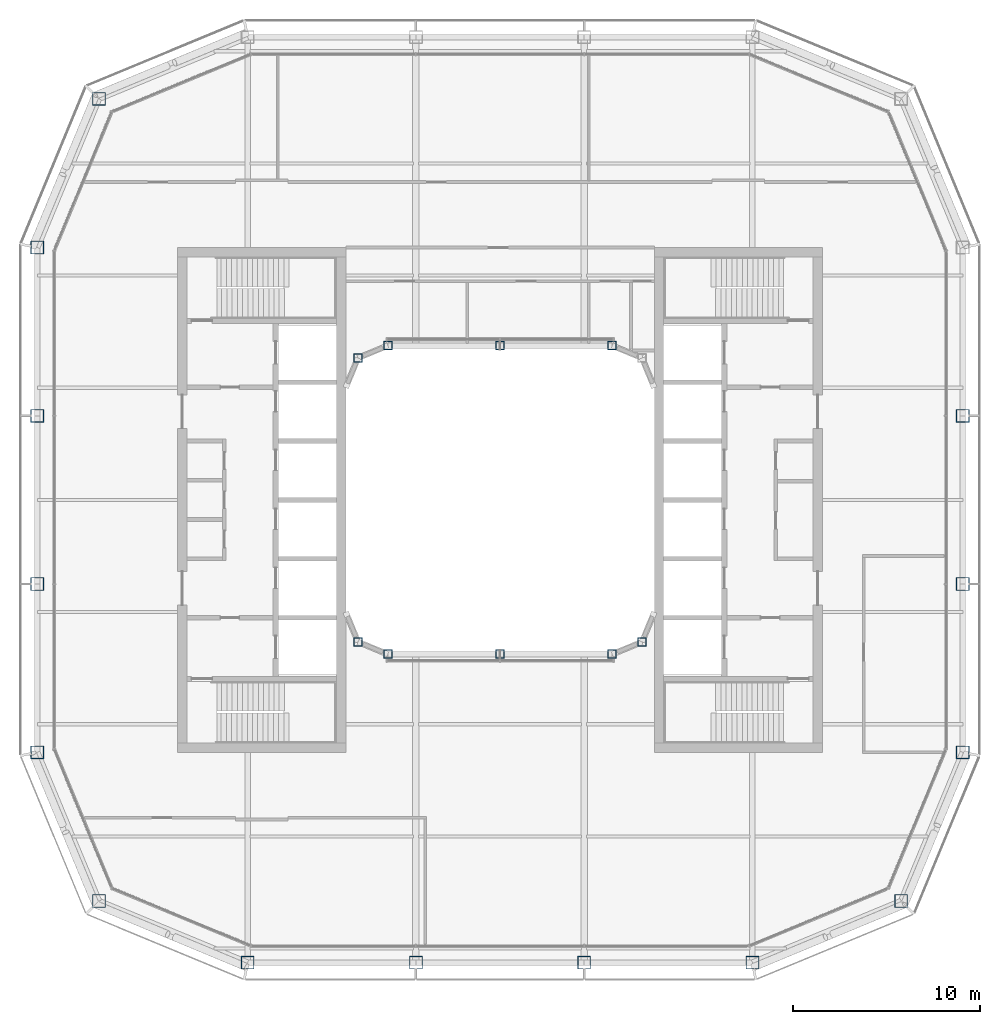
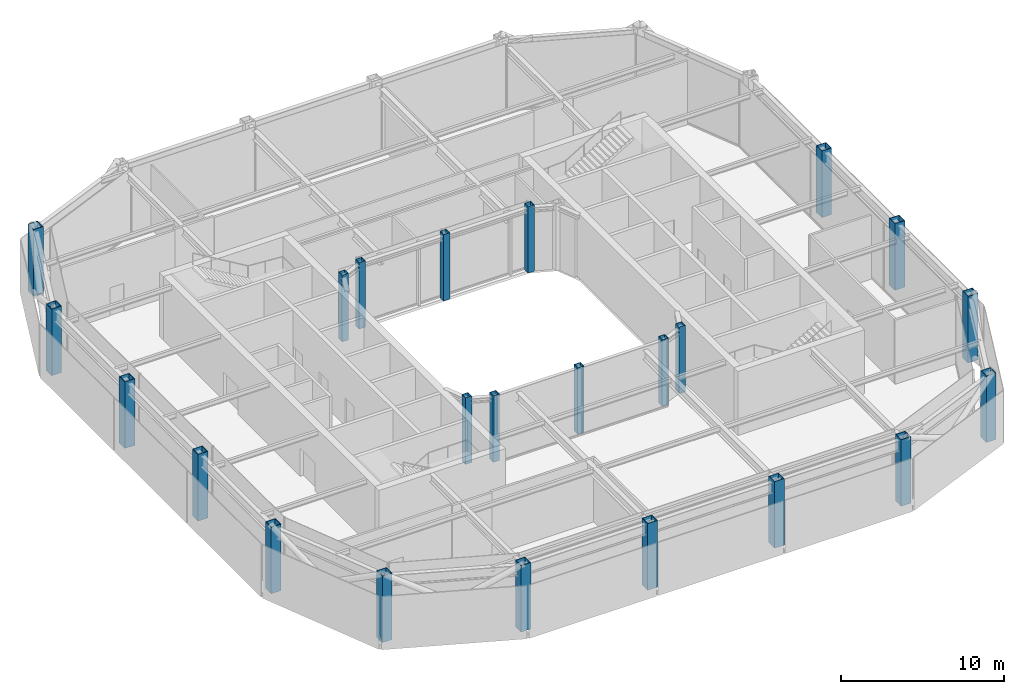
# One storey, part 1 of 17: 23 columns.
"""IFC4 building model written with IfcOpenShell, lengths in metres."""

from ifc_helpers import new_model, si_unit, direction, frame, origin, origin_2d, place, context, subcontext, project, spatial, hollow_rectangle, extrude, material, material_profile, profile_set, type_object, element, save


model = new_model("IFC4")

# Units and contexts
model_context = context("Model", 3, precision=1e-05, world=origin(), true_north=direction((0.0, 1.0)))
body_context = subcontext(model_context, "Body", "Model", "MODEL_VIEW")
ifc_project = project(units=[si_unit("LENGTHUNIT", "METRE"), si_unit("AREAUNIT", "SQUARE_METRE"), si_unit("VOLUMEUNIT", "CUBIC_METRE"), si_unit("PLANEANGLEUNIT", "RADIAN"), si_unit("MASSUNIT", "GRAM", prefix="KILO")], contexts=[model_context])

# Site, building, storey
site_placement = place(None, origin())
site = spatial("IfcSite", under=ifc_project, at=site_placement, CompositionType="ELEMENT")
building_placement = place(site_placement, origin())
building = spatial("IfcBuilding", under=site, at=building_placement, Name="Siwar Civic Tower", CompositionType="ELEMENT")
storey_placement = place(building_placement, frame((0.0, 0.0, 353.199951171875)))
storey = spatial("IfcBuildingStorey", under=building, at=storey_placement, Name="L76", CompositionType="ELEMENT", Elevation=353.199951171875)

# Columns
ifc_material_1 = material(Name="Steel S355", Category="steel")
ifc_material_profile_1 = material_profile(ifc_material_1, hollow_rectangle(XDim=0.699951171875, YDim=0.699951171875, WallThickness=0.035888671875, at=origin_2d()), Name="BOX700x700x36")
ifc_profile_set_1 = profile_set([ifc_material_profile_1], Name="Steel S355")
column_type_1 = type_object("IfcColumnType", Name="STR-COL-BOX700x700x36", PredefinedType="COLUMN", material=ifc_profile_set_1)
for number, where, z_axis, x_axis, name in (
    (1, (-13.5, -24.75, 0.0), (0.0, 0.0, 1.0), (1.0, 0.0, 0.0), "L76/col/S-0"),
    (2, (-4.5, -24.75, 0.0), (0.0, 0.0, 1.0), (1.0, 0.0, 0.0), "L76/col/S-1"),
    (3, (4.5, -24.75, 0.0), (0.0, 0.0, 1.0), (1.0, 0.0, 0.0), "L76/col/S-2"),
    (4, (13.5, -24.75, 0.0), (0.0, 0.0, 1.0), (1.0, 0.0, 0.0), "L76/col/SE1-0"),
    (5, (21.454833984375, -21.454833984375, 0.0), (0.0, 0.0, 1.0), (1.0, 0.0, 0.0), "L76/col/SE2-0"),
    (6, (24.75, -13.5, 0.0), (0.0, 0.0, 1.0), (1.0, 0.0, 0.0), "L76/col/E-0"),
    (7, (24.75, -4.5, 0.0), (0.0, 0.0, 1.0), (1.0, 0.0, 0.0), "L76/col/E-1"),
    (8, (24.75, 4.5, 0.0), (0.0, 0.0, 1.0), (1.0, 0.0, 0.0), "L76/col/E-2"),
    (9, (-21.454833984375, 21.454833984375, 0.0), (0.0, 0.0, 1.0), (1.0, 0.0, 0.0), "L76/col/NW2-0"),
    (10, (-24.75, 13.5, 0.0), (0.0, 0.0, 1.0), (1.0, 0.0, 0.0), "L76/col/W-0"),
    (11, (-24.75, 4.5, 0.0), (0.0, 0.0, 1.0), (1.0, 0.0, 0.0), "L76/col/W-1"),
    (12, (-24.75, -4.5, 0.0), (0.0, 0.0, 1.0), (1.0, 0.0, 0.0), "L76/col/W-2"),
    (13, (-24.75, -13.5, 0.0), (0.0, 0.0, 1.0), (1.0, 0.0, 0.0), "L76/col/SW1-0"),
    (14, (-21.454833984375, -21.454833984375, 0.0), (0.0, 0.0, 1.0), (1.0, 0.0, 0.0), "L76/col/SW2-0"),
):
    element("IfcColumn", number, at=place(storey_placement, frame(where, z_axis=z_axis, x_axis=x_axis)), inside=storey, type_object=column_type_1, Name=name, PredefinedType="COLUMN", context=body_context, shape_type="SweptSolid", body=[
        extrude(hollow_rectangle(XDim=0.699951171875, YDim=0.699951171875, WallThickness=0.035888671875, at=origin_2d()), origin(), (0.0, 0.0, 1.0), 5.0),
    ])
ifc_material_2 = material(Name="Steel S355", Category="steel")
ifc_material_profile_2 = material_profile(ifc_material_2, hollow_rectangle(XDim=0.449951171875, YDim=0.449951171875, WallThickness=0.02197265625, at=origin_2d()), Name="BOX450x450x22")
ifc_profile_set_2 = profile_set([ifc_material_profile_2], Name="Steel S355")
column_type_2 = type_object("IfcColumnType", Name="STR-ICOL-BOX450x450x22", PredefinedType="COLUMN", material=ifc_profile_set_2)
for number, where, z_axis, x_axis, name in (
    (15, (-7.591064453125, -7.591064453125, 0.0), (0.0, 0.0, 1.0), (1.0, 0.0, 0.0), "L76/col/IS-0"),
    (16, (-6.0, -8.25, 0.0), (0.0, 0.0, 1.0), (1.0, 0.0, 0.0), "L76/col/IS-1"),
    (17, (0.0, -8.25, 0.0), (0.0, 0.0, 1.0), (1.0, 0.0, 0.0), "L76/col/IS-2"),
    (18, (6.0, -8.25, 0.0), (0.0, 0.0, 1.0), (1.0, 0.0, 0.0), "L76/col/IS-3"),
    (19, (7.591064453125, -7.591064453125, 0.0), (0.0, 0.0, 1.0), (1.0, 0.0, 0.0), "L76/col/IS-4"),
    (20, (-7.591064453125, 7.591064453125, 0.0), (0.0, 0.0, 1.0), (1.0, 0.0, 0.0), "L76/col/IN-0"),
    (21, (-6.0, 8.25, 0.0), (0.0, 0.0, 1.0), (1.0, 0.0, 0.0), "L76/col/IN-1"),
    (22, (0.0, 8.25, 0.0), (0.0, 0.0, 1.0), (1.0, 0.0, 0.0), "L76/col/IN-2"),
    (23, (6.0, 8.25, 0.0), (0.0, 0.0, 1.0), (1.0, 0.0, 0.0), "L76/col/IN-3"),
):
    element("IfcColumn", number, at=place(storey_placement, frame(where, z_axis=z_axis, x_axis=x_axis)), inside=storey, type_object=column_type_2, Name=name, PredefinedType="COLUMN", context=body_context, shape_type="SweptSolid", body=[
        extrude(hollow_rectangle(XDim=0.449951171875, YDim=0.449951171875, WallThickness=0.02197265625, at=origin_2d()), origin(), (0.0, 0.0, 1.0), 5.0),
    ])

save(model, "model.ifc")
